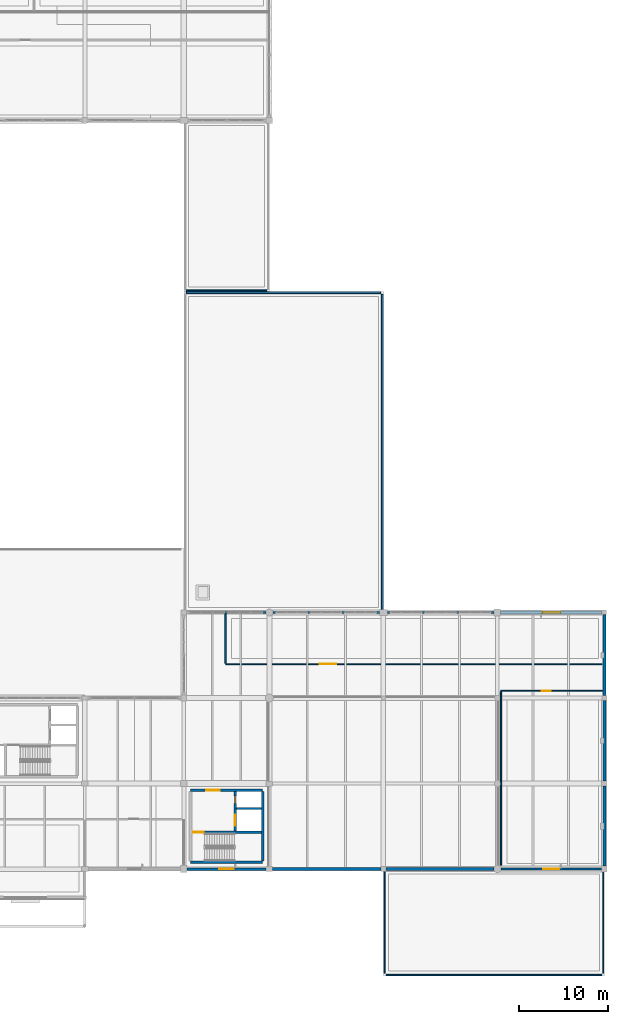
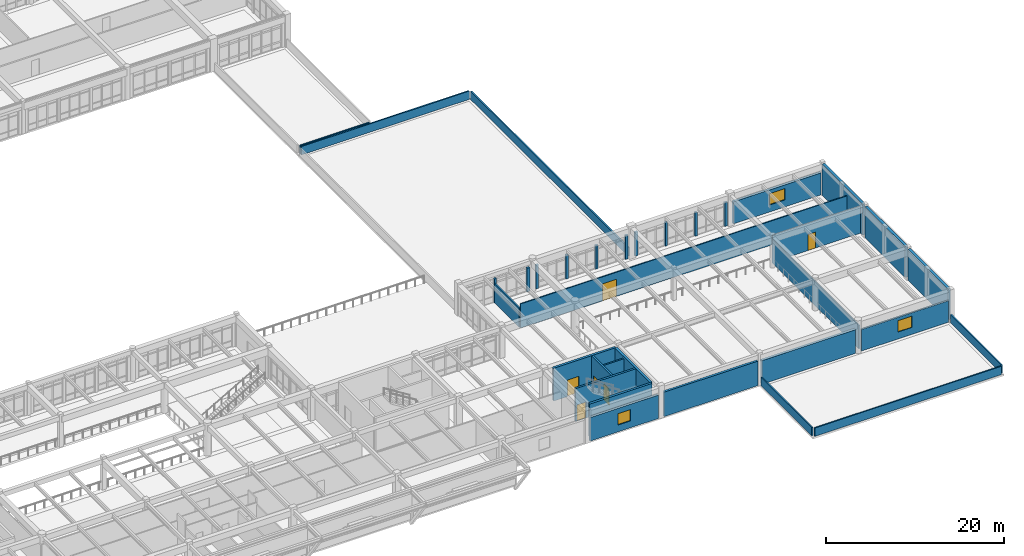
# One storey, part 94 of 109: 34 walls, 6 doors, 3 windows, 9 openings.
"""IFC4 building model written with IfcOpenShell, lengths in metres."""

from ifc_helpers import new_model, si_unit, direction, frame, frame_2d, origin, place, context, subcontext, project, spatial, rectangle, extrude, material, layer, layer_set, type_object, element, fill, save


model = new_model("IFC4")

# Units and contexts
model_context = context("Model", 3, precision=1e-05, world=origin(), true_north=direction((0.0, 1.0)))
body_context = subcontext(model_context, "Body", "Model", "MODEL_VIEW")
ifc_project = project(units=[si_unit("LENGTHUNIT", "METRE"), si_unit("AREAUNIT", "SQUARE_METRE"), si_unit("VOLUMEUNIT", "CUBIC_METRE"), si_unit("PLANEANGLEUNIT", "RADIAN"), si_unit("MASSUNIT", "GRAM", prefix="KILO")], contexts=[model_context])

# Site, building, storey
site_placement = place(None, origin())
site = spatial("IfcSite", under=ifc_project, at=site_placement, CompositionType="ELEMENT")
building_placement = place(site_placement, origin())
building = spatial("IfcBuilding", under=site, at=building_placement, Name="Fikremerkos Civic Library", CompositionType="ELEMENT")
storey_placement = place(building_placement, frame((0.0, 0.0, 5.39990234375)))
storey = spatial("IfcBuildingStorey", under=building, at=storey_placement, Name="L01", CompositionType="ELEMENT", Elevation=5.39990234375)

# Wall
ifc_material_1 = material(Name="Concrete C40/50", Category="concrete")
ifc_layer_1 = layer(ifc_material_1, 0.300048828125, Name="Concrete C40/50")
ifc_layer_set_1 = layer_set([ifc_layer_1], Name="Concrete C40/50")
wall_type_1 = type_object("IfcWallType", Name="Core shear wall CSW-01 300", PredefinedType="SHEAR", material=ifc_layer_set_1)
wall_1_placement = place(storey_placement, frame((133.64990234375, 12.75, 0.0), z_axis=(0.0, 0.0, 1.0), x_axis=(-1.0, 0.0, 0.0)))
element("IfcWall", 1, at=wall_1_placement, inside=storey, type_object=wall_type_1, Name="Core K4 south shear wall L01", PredefinedType="SHEAR", context=body_context, shape_type="SweptSolid", body=[
    extrude(rectangle(XDim=8.099853515625, YDim=0.300048828125, at=frame_2d((4.0498046875, 0.0))), origin(), (0.0, 0.0, 1.0), 4.5),
])

# Wall, opening, door
wall_2_placement = place(storey_placement, frame((125.550048828125, 20.85009765625, 0.0), z_axis=(0.0, 0.0, 1.0), x_axis=(1.0, 0.0, 0.0)))
wall_2 = element("IfcWall", 2, at=wall_2_placement, inside=storey, type_object=wall_type_1, Name="Core K4 north shear wall L01", PredefinedType="SHEAR", context=body_context, shape_type="SweptSolid", body=[
    extrude(rectangle(XDim=8.099853515625, YDim=0.300048828125, at=frame_2d((4.0498046875, 0.0))), origin(), (0.0, 0.0, 1.0), 4.5),
])
opening_1_placement = place(wall_2_placement, frame((1.800048828125, 0.0, 0.0)))
opening_1 = element("IfcOpeningElement", 3, at=opening_1_placement, cuts=wall_2, Name="Opening D110", PredefinedType="OPENING", context=body_context, shape_type="SweptSolid", body=[
    extrude(rectangle(XDim=1.5, YDim=2.25, at=frame_2d((0.75, 1.125))), frame((0.0, 0.159912109375, 0.0), z_axis=(0.0, -1.0, 0.0), x_axis=(1.0, 0.0, 0.0)), (0.0, 0.0, 1.0), 0.320068359375),
])
ifc_material_2 = material(Name="Hardwood timber and acoustic glass", Category="wood")
door_type_1 = type_object("IfcDoorType", Name="Pedestrian door DT-05 1500x2250", OperationType="NOTDEFINED", PredefinedType="DOOR", material=ifc_material_2)
door_1_placement = place(opening_1_placement, origin())
door_1 = element("IfcDoor", 4, at=door_1_placement, inside=storey, type_object=door_type_1, Name="Core K4 lobby fire door D110 L01", OperationType="SINGLE_SWING_RIGHT", OverallHeight=2.25, OverallWidth=1.5, PredefinedType="DOOR", context=body_context, shape_type="SweptSolid", body=[
    extrude(rectangle(XDim=1.5, YDim=2.25, at=frame_2d((0.75, 1.125))), frame((0.0, 0.032470703125, 0.0), z_axis=(0.0, -1.0, 0.0), x_axis=(1.0, 0.0, 0.0)), (0.0, 0.0, 1.0), 0.06494140625),
])
fill(opening_1, door_1)

# Wall
wall_3_placement = place(storey_placement, frame((133.64990234375, 20.697998046875, 0.0), z_axis=(0.0, 0.0, 1.0), x_axis=(0.0, -1.0, 0.0)))
element("IfcWall", 5, at=wall_3_placement, inside=storey, type_object=wall_type_1, Name="Core K4 east shear wall L01", PredefinedType="SHEAR", context=body_context, shape_type="SweptSolid", body=[
    extrude(rectangle(XDim=7.7958984375, YDim=0.300048828125, at=frame_2d((3.89794921875, 0.0))), origin(), (0.0, 0.0, 1.0), 4.5),
])

# Wall, opening, door
ifc_layer_2 = layer(ifc_material_1, 0.260009765625, Name="Concrete C40/50")
ifc_layer_set_2 = layer_set([ifc_layer_2], Name="Concrete C40/50")
wall_type_2 = type_object("IfcWallType", Name="Core shear wall CSW-02 260", PredefinedType="SHEAR", material=ifc_layer_set_2)
wall_4_placement = place(storey_placement, frame((125.701904296875, 16.1298828125, 0.0), z_axis=(0.0, 0.0, 1.0), x_axis=(1.0, 0.0, 0.0)))
wall_4 = element("IfcWall", 6, at=wall_4_placement, inside=storey, type_object=wall_type_2, Name="Core K4 stair compartment wall L01", PredefinedType="SHEAR", context=body_context, shape_type="SweptSolid", body=[
    extrude(rectangle(XDim=7.796142578125, YDim=0.260009765625, at=frame_2d((3.89794921875, 0.0))), origin(), (0.0, 0.0, 1.0), 4.5),
])
opening_2_placement = place(wall_4_placement, frame((0.14794921875, 0.0, 0.0)))
opening_2 = element("IfcOpeningElement", 7, at=opening_2_placement, cuts=wall_4, Name="Opening D111", PredefinedType="OPENING", context=body_context, shape_type="SweptSolid", body=[
    extrude(rectangle(XDim=1.199951171875, YDim=2.199951171875, at=frame_2d((0.60009765625, 1.10009765625))), frame((0.0, 0.139892578125, 0.0), z_axis=(0.0, -1.0, 0.0), x_axis=(1.0, 0.0, 0.0)), (0.0, 0.0, 1.0), 0.280029296875),
])
door_type_2 = type_object("IfcDoorType", Name="Pedestrian door DT-06 1200x2200", OperationType="NOTDEFINED", PredefinedType="DOOR", material=ifc_material_2)
door_2_placement = place(opening_2_placement, origin())
door_2 = element("IfcDoor", 8, at=door_2_placement, inside=storey, type_object=door_type_2, Name="Core K4 stair fire door D111 L01", OperationType="SINGLE_SWING_LEFT", OverallHeight=2.199951171875, OverallWidth=1.199951171875, PredefinedType="DOOR", context=body_context, shape_type="SweptSolid", body=[
    extrude(rectangle(XDim=1.199951171875, YDim=2.199951171875, at=frame_2d((0.60009765625, 1.10009765625))), frame((0.0, 0.032470703125, 0.0), z_axis=(0.0, -1.0, 0.0), x_axis=(1.0, 0.0, 0.0)), (0.0, 0.0, 1.0), 0.06494140625),
])
fill(opening_2, door_2)

# Wall, openings, doors
wall_5_placement = place(storey_placement, frame((130.570068359375, 16.261962890625, 0.0), z_axis=(0.0, 0.0, 1.0), x_axis=(0.0, 1.0, 0.0)))
wall_5 = element("IfcWall", 9, at=wall_5_placement, inside=storey, type_object=wall_type_2, Name="Core K4 lift shaft front wall L01", PredefinedType="SHEAR", context=body_context, shape_type="SweptSolid", body=[
    extrude(rectangle(XDim=4.43603515625, YDim=0.260009765625, at=frame_2d((2.218017578125, 0.0))), origin(), (0.0, 0.0, 1.0), 4.5),
])
opening_3_placement = place(wall_5_placement, frame((3.113037109375, 0.0, 0.0)))
opening_3 = element("IfcOpeningElement", 10, at=opening_3_placement, cuts=wall_5, Name="Opening D112", PredefinedType="OPENING", context=body_context, shape_type="SweptSolid", body=[
    extrude(rectangle(XDim=0.85009765625, YDim=2.050048828125, at=frame_2d((0.425048828125, 1.02490234375))), frame((0.0, 0.139892578125, 0.0), z_axis=(0.0, -1.0, 0.0), x_axis=(1.0, 0.0, 0.0)), (0.0, 0.0, 1.0), 0.280029296875),
])
opening_4_placement = place(wall_5_placement, frame((0.593017578125, 0.0, 0.0)))
opening_4 = element("IfcOpeningElement", 11, at=opening_4_placement, cuts=wall_5, Name="Opening LD52", PredefinedType="OPENING", context=body_context, shape_type="SweptSolid", body=[
    extrude(rectangle(XDim=1.25, YDim=2.199951171875, at=frame_2d((0.625, 1.10009765625))), frame((0.0, 0.139892578125, 0.0), z_axis=(0.0, -1.0, 0.0), x_axis=(1.0, 0.0, 0.0)), (0.0, 0.0, 1.0), 0.280029296875),
])
ifc_material_3 = material(Name="Brushed stainless steel", Category="steel")
door_type_3 = type_object("IfcDoorType", Name="Lift landing door LDT-02 1250x2200", OperationType="NOTDEFINED", PredefinedType="DOOR", material=ifc_material_3)
door_3_placement = place(opening_4_placement, origin())
door_3 = element("IfcDoor", 12, at=door_3_placement, inside=storey, type_object=door_type_3, Name="Lift LF07 sliding landing door LD52 L01", OperationType="SLIDING_TO_LEFT", OverallHeight=2.199951171875, OverallWidth=1.25, PredefinedType="DOOR", context=body_context, shape_type="SweptSolid", body=[
    extrude(rectangle(XDim=1.25, YDim=2.199951171875, at=frame_2d((0.625, 1.10009765625))), frame((0.0, 0.032470703125, 0.0), z_axis=(0.0, -1.0, 0.0), x_axis=(1.0, 0.0, 0.0)), (0.0, 0.0, 1.0), 0.06494140625),
])
fill(opening_4, door_3)
door_type_4 = type_object("IfcDoorType", Name="Pedestrian door DT-08 850x2050", OperationType="NOTDEFINED", PredefinedType="DOOR", material=ifc_material_2)
door_4_placement = place(opening_3_placement, origin())
door_4 = element("IfcDoor", 13, at=door_4_placement, inside=storey, type_object=door_type_4, Name="Core K4 riser access fire door D112 L01", OperationType="SINGLE_SWING_RIGHT", OverallHeight=2.050048828125, OverallWidth=0.85009765625, PredefinedType="DOOR", context=body_context, shape_type="SweptSolid", body=[
    extrude(rectangle(XDim=0.85009765625, YDim=2.050048828125, at=frame_2d((0.425048828125, 1.02490234375))), frame((0.0, 0.032470703125, 0.0), z_axis=(0.0, -1.0, 0.0), x_axis=(1.0, 0.0, 0.0)), (0.0, 0.0, 1.0), 0.06494140625),
])
fill(opening_3, door_4)

# Walls
ifc_layer_3 = layer(ifc_material_1, 0.35009765625, Name="Concrete C40/50")
ifc_layer_set_3 = layer_set([ifc_layer_3], Name="Concrete C40/50")
wall_type_3 = type_object("IfcWallType", Name="Exterior solid wall ESW-01 350", PredefinedType="SOLIDWALL", material=ifc_layer_set_3)
wall_6_placement = place(storey_placement, frame((172.0, 40.552001953125, 0.0), z_axis=(0.0, 0.0, 1.0), x_axis=(0.0, -1.0, 0.0)))
element("IfcWall", 14, at=wall_6_placement, inside=storey, type_object=wall_type_3, Name="Party boundary wall ESW-01 L01 #397", PredefinedType="SOLIDWALL", context=body_context, shape_type="SweptSolid", body=[
    extrude(rectangle(XDim=9.0791015625, YDim=0.35009765625, at=frame_2d((4.53955078125, 0.0))), origin(), (0.0, 0.0, 1.0), 4.260009765625),
])
wall_7_placement = place(storey_placement, frame((172.0, 30.927001953125, 0.0), z_axis=(0.0, 0.0, 1.0), x_axis=(0.0, -1.0, 0.0)))
element("IfcWall", 15, at=wall_7_placement, inside=storey, type_object=wall_type_3, Name="Party boundary wall ESW-01 L01 #398", PredefinedType="SOLIDWALL", context=body_context, shape_type="SweptSolid", body=[
    extrude(rectangle(XDim=9.029052734375, YDim=0.35009765625, at=frame_2d((4.5146484375, 0.0))), origin(), (0.0, 0.0, 1.0), 4.260009765625),
])
wall_8_placement = place(storey_placement, frame((172.0, 21.302001953125, 0.0), z_axis=(0.0, 0.0, 1.0), x_axis=(0.0, -1.0, 0.0)))
element("IfcWall", 16, at=wall_8_placement, inside=storey, type_object=wall_type_3, Name="Party boundary wall ESW-01 L01 #399", PredefinedType="SOLIDWALL", context=body_context, shape_type="SweptSolid", body=[
    extrude(rectangle(XDim=8.97900390625, YDim=0.35009765625, at=frame_2d((4.489501953125, 0.0))), origin(), (0.0, 0.0, 1.0), 4.260009765625),
])

# Wall, opening, window
ifc_material_4 = material(Name="Precast concrete C40/50", Category="concrete")
ifc_layer_4 = layer(ifc_material_4, 0.320068359375, Name="Precast concrete C40/50")
ifc_layer_set_4 = layer_set([ifc_layer_4], Name="Precast concrete C40/50")
wall_type_4 = type_object("IfcWallType", Name="Exterior solid wall ESW-02 320", PredefinedType="SOLIDWALL", material=ifc_layer_set_4)
wall_9_placement = place(storey_placement, frame((160.373046875, 40.800048828125, 0.0), z_axis=(0.0, 0.0, 1.0), x_axis=(1.0, 0.0, 0.0)))
wall_9 = element("IfcWall", 17, at=wall_9_placement, inside=storey, type_object=wall_type_4, Name="Exterior solid wall ESW-02 L01 #396", PredefinedType="SOLIDWALL", context=body_context, shape_type="SweptSolid", body=[
    extrude(rectangle(XDim=11.37890625, YDim=0.320068359375, at=frame_2d((5.689453125, 0.0))), origin(), (0.0, 0.0, 1.0), 3.02001953125),
])
opening_5_placement = place(wall_9_placement, frame((4.689453125, 0.0, 0.949951171875)))
opening_5 = element("IfcOpeningElement", 18, at=opening_5_placement, cuts=wall_9, Name="Opening CWND-03", PredefinedType="OPENING", context=body_context, shape_type="SweptSolid", body=[
    extrude(rectangle(XDim=2.0, YDim=1.550048828125, at=frame_2d((1.0, 0.77490234375))), frame((0.0, 0.169921875, 0.0), z_axis=(0.0, -1.0, 0.0), x_axis=(1.0, 0.0, 0.0)), (0.0, 0.0, 1.0), 0.340087890625),
])
ifc_material_5 = material(Name="Solar control double glazing", Category="glass")
window_type_1 = type_object("IfcWindowType", Name="Courtyard window CWND-03 2000x1550", PartitioningType="SINGLE_PANEL", PredefinedType="WINDOW", material=ifc_material_5)
window_1_placement = place(opening_5_placement, origin())
window_1 = element("IfcWindow", 19, at=window_1_placement, inside=storey, type_object=window_type_1, Name="Courtyard window CWND-03 L01 #19", OverallHeight=1.550048828125, OverallWidth=2.0, PartitioningType="SINGLE_PANEL", PredefinedType="WINDOW", context=body_context, shape_type="SweptSolid", body=[
    extrude(rectangle(XDim=2.0, YDim=1.550048828125, at=frame_2d((1.0, 0.77490234375))), frame((0.0, 0.032470703125, 0.0), z_axis=(0.0, -1.0, 0.0), x_axis=(1.0, 0.0, 0.0)), (0.0, 0.0, 1.0), 0.06494140625),
])
fill(opening_5, window_1)

# Walls
wall_10_placement = place(storey_placement, frame((159.60205078125, 12.0, 0.0), z_axis=(0.0, 0.0, 1.0), x_axis=(-1.0, 0.0, 0.0)))
element("IfcWall", 20, at=wall_10_placement, inside=storey, type_object=wall_type_4, Name="Exterior solid wall ESW-02 L01 #401", PredefinedType="SOLIDWALL", context=body_context, shape_type="SweptSolid", body=[
    extrude(rectangle(XDim=12.129150390625, YDim=0.320068359375, at=frame_2d((6.064453125, 0.0))), origin(), (0.0, 0.0, 1.0), 3.25),
])
ifc_layer_5 = layer(ifc_material_4, 0.300048828125, Name="Precast concrete C40/50")
ifc_layer_set_5 = layer_set([ifc_layer_5], Name="Precast concrete C40/50")
wall_type_5 = type_object("IfcWallType", Name="Exterior solid wall ESW-03 300", PredefinedType="SOLIDWALL", material=ifc_layer_set_5)
wall_11_placement = place(storey_placement, frame((146.927001953125, 12.0, 0.0), z_axis=(0.0, 0.0, 1.0), x_axis=(-1.0, 0.0, 0.0)))
element("IfcWall", 21, at=wall_11_placement, inside=storey, type_object=wall_type_5, Name="Exterior solid wall ESW-03 L01 #402", PredefinedType="SOLIDWALL", context=body_context, shape_type="SweptSolid", body=[
    extrude(rectangle(XDim=12.154052734375, YDim=0.300048828125, at=frame_2d((6.0771484375, 0.0))), origin(), (0.0, 0.0, 1.0), 3.360107421875),
])

# Wall, opening, window
ifc_layer_6 = layer(ifc_material_4, 0.280029296875, Name="Precast concrete C40/50")
ifc_layer_set_6 = layer_set([ifc_layer_6], Name="Precast concrete C40/50")
wall_type_6 = type_object("IfcWallType", Name="Exterior solid wall ESW-04 280", PredefinedType="SOLIDWALL", material=ifc_layer_set_6)
wall_12_placement = place(storey_placement, frame((134.027099609375, 12.0, 0.0), z_axis=(0.0, 0.0, 1.0), x_axis=(-1.0, 0.0, 0.0)))
wall_12 = element("IfcWall", 22, at=wall_12_placement, inside=storey, type_object=wall_type_6, Name="Exterior solid wall ESW-04 L01 #403", PredefinedType="SOLIDWALL", context=body_context, shape_type="SweptSolid", body=[
    extrude(rectangle(XDim=8.85400390625, YDim=0.280029296875, at=frame_2d((4.427001953125, 0.0))), origin(), (0.0, 0.0, 1.0), 3.22021484375),
])
opening_6_placement = place(wall_12_placement, frame((3.626953125, 0.0, 0.949951171875)))
opening_6 = element("IfcOpeningElement", 23, at=opening_6_placement, cuts=wall_12, Name="Opening CWND-05", PredefinedType="OPENING", context=body_context, shape_type="SweptSolid", body=[
    extrude(rectangle(XDim=1.60009765625, YDim=1.550048828125, at=frame_2d((0.800048828125, 0.77490234375))), frame((0.0, 0.14990234375, 0.0), z_axis=(0.0, -1.0, 0.0), x_axis=(1.0, 0.0, 0.0)), (0.0, 0.0, 1.0), 0.300048828125),
])
window_type_2 = type_object("IfcWindowType", Name="Courtyard window CWND-05 1600x1550", PartitioningType="SINGLE_PANEL", PredefinedType="WINDOW", material=ifc_material_5)
window_2_placement = place(opening_6_placement, origin())
window_2 = element("IfcWindow", 24, at=window_2_placement, inside=storey, type_object=window_type_2, Name="Courtyard window CWND-05 L01 #21", OverallHeight=1.550048828125, OverallWidth=1.60009765625, PartitioningType="SINGLE_PANEL", PredefinedType="WINDOW", context=body_context, shape_type="SweptSolid", body=[
    extrude(rectangle(XDim=1.60009765625, YDim=1.550048828125, at=frame_2d((0.800048828125, 0.77490234375))), frame((0.0, 0.032470703125, 0.0), z_axis=(0.0, -1.0, 0.0), x_axis=(1.0, 0.0, 0.0)), (0.0, 0.0, 1.0), 0.06494140625),
])
fill(opening_6, window_2)

# Walls
ifc_layer_7 = layer(ifc_material_4, 0.25, Name="Precast concrete C40/50")
ifc_layer_set_7 = layer_set([ifc_layer_7], Name="Precast concrete C40/50")
wall_type_7 = type_object("IfcWallType", Name="Exterior solid wall ESW-05 250", PredefinedType="SOLIDWALL", material=ifc_layer_set_7)
wall_13_placement = place(storey_placement, frame((133.652099609375, 40.800048828125, 0.0), z_axis=(0.0, 0.0, 1.0), x_axis=(1.0, 0.0, 0.0)))
element("IfcWall", 25, at=wall_13_placement, inside=storey, type_object=wall_type_7, Name="Exterior facade pier ESW-05 #386", PredefinedType="SOLIDWALL", context=body_context, shape_type="SweptSolid", body=[
    extrude(rectangle(XDim=0.349853515625, YDim=0.25, at=frame_2d((0.1748046875, 0.0))), origin(), (0.0, 0.0, 1.0), 3.260009765625),
])
wall_14_placement = place(storey_placement, frame((129.39990234375, 40.800048828125, 0.0), z_axis=(0.0, 0.0, 1.0), x_axis=(1.0, 0.0, 0.0)))
element("IfcWall", 26, at=wall_14_placement, inside=storey, type_object=wall_type_7, Name="Exterior facade mullion pier ESW-05 #387", PredefinedType="SOLIDWALL", context=body_context, shape_type="SweptSolid", body=[
    extrude(rectangle(XDim=0.300048828125, YDim=0.25, at=frame_2d((0.14990234375, 0.0))), origin(), (0.0, 0.0, 1.0), 3.260009765625),
])
for number, where, z_axis, x_axis, name in (
    (27, (134.798095703125, 40.800048828125, 0.0), (0.0, 0.0, 1.0), (1.0, 0.0, 0.0), "Exterior facade pier ESW-05 #388"),
    (28, (146.402099609375, 40.800048828125, 0.0), (0.0, 0.0, 1.0), (1.0, 0.0, 0.0), "Exterior facade pier ESW-05 #389"),
):
    element("IfcWall", number, at=place(storey_placement, frame(where, z_axis=z_axis, x_axis=x_axis)), inside=storey, type_object=wall_type_7, Name=name, PredefinedType="SOLIDWALL", context=body_context, shape_type="SweptSolid", body=[
        extrude(rectangle(XDim=0.349853515625, YDim=0.25, at=frame_2d((0.1748046875, 0.0))), origin(), (0.0, 0.0, 1.0), 3.260009765625),
    ])
wall_15_placement = place(storey_placement, frame((138.69921875, 40.800048828125, 0.0), z_axis=(0.0, 0.0, 1.0), x_axis=(1.0, 0.0, 0.0)))
element("IfcWall", 29, at=wall_15_placement, inside=storey, type_object=wall_type_7, Name="Exterior facade mullion pier ESW-05 #390", PredefinedType="SOLIDWALL", context=body_context, shape_type="SweptSolid", body=[
    extrude(rectangle(XDim=0.300048828125, YDim=0.25, at=frame_2d((0.14990234375, 0.0))), origin(), (0.0, 0.0, 1.0), 3.260009765625),
])
wall_16_placement = place(storey_placement, frame((142.55078125, 40.800048828125, 0.0), z_axis=(0.0, 0.0, 1.0), x_axis=(1.0, 0.0, 0.0)))
element("IfcWall", 30, at=wall_16_placement, inside=storey, type_object=wall_type_7, Name="Exterior facade mullion pier ESW-05 #391", PredefinedType="SOLIDWALL", context=body_context, shape_type="SweptSolid", body=[
    extrude(rectangle(XDim=0.2998046875, YDim=0.25, at=frame_2d((0.14990234375, 0.0))), origin(), (0.0, 0.0, 1.0), 3.260009765625),
])
wall_17_placement = place(storey_placement, frame((147.64794921875, 40.800048828125, 0.0), z_axis=(0.0, 0.0, 1.0), x_axis=(1.0, 0.0, 0.0)))
element("IfcWall", 31, at=wall_17_placement, inside=storey, type_object=wall_type_7, Name="Exterior facade pier ESW-05 #392", PredefinedType="SOLIDWALL", context=body_context, shape_type="SweptSolid", body=[
    extrude(rectangle(XDim=0.35009765625, YDim=0.25, at=frame_2d((0.175048828125, 0.0))), origin(), (0.0, 0.0, 1.0), 3.260009765625),
])
wall_18_placement = place(storey_placement, frame((159.277099609375, 40.800048828125, 0.0), z_axis=(0.0, 0.0, 1.0), x_axis=(1.0, 0.0, 0.0)))
element("IfcWall", 32, at=wall_18_placement, inside=storey, type_object=wall_type_7, Name="Exterior facade pier ESW-05 #393", PredefinedType="SOLIDWALL", context=body_context, shape_type="SweptSolid", body=[
    extrude(rectangle(XDim=0.349853515625, YDim=0.25, at=frame_2d((0.1748046875, 0.0))), origin(), (0.0, 0.0, 1.0), 3.260009765625),
])
for number, where, z_axis, x_axis, name in (
    (33, (151.5576171875, 40.800048828125, 0.0), (0.0, 0.0, 1.0), (1.0, 0.0, 0.0), "Exterior facade mullion pier ESW-05 #394"),
    (34, (155.417236328125, 40.800048828125, 0.0), (0.0, 0.0, 1.0), (1.0, 0.0, 0.0), "Exterior facade mullion pier ESW-05 #395"),
):
    element("IfcWall", number, at=place(storey_placement, frame(where, z_axis=z_axis, x_axis=x_axis)), inside=storey, type_object=wall_type_7, Name=name, PredefinedType="SOLIDWALL", context=body_context, shape_type="SweptSolid", body=[
        extrude(rectangle(XDim=0.300048828125, YDim=0.25, at=frame_2d((0.14990234375, 0.0))), origin(), (0.0, 0.0, 1.0), 3.260009765625),
    ])

# Wall, opening, window
ifc_layer_8 = layer(ifc_material_4, 0.219970703125, Name="Precast concrete C40/50")
ifc_layer_set_8 = layer_set([ifc_layer_8], Name="Precast concrete C40/50")
wall_type_8 = type_object("IfcWallType", Name="Exterior solid wall ESW-06 220", PredefinedType="SOLIDWALL", material=ifc_layer_set_8)
wall_19_placement = place(storey_placement, frame((171.677001953125, 12.0, 0.0), z_axis=(0.0, 0.0, 1.0), x_axis=(-1.0, 0.0, 0.0)))
wall_19 = element("IfcWall", 35, at=wall_19_placement, inside=storey, type_object=wall_type_8, Name="Exterior solid wall ESW-06 L01 #400", PredefinedType="SOLIDWALL", context=body_context, shape_type="SweptSolid", body=[
    extrude(rectangle(XDim=11.279052734375, YDim=0.219970703125, at=frame_2d((5.6396484375, 0.0))), origin(), (0.0, 0.0, 1.0), 2.960205078125),
])
opening_7_placement = place(wall_19_placement, frame((4.739501953125, 0.0, 0.949951171875)))
opening_7 = element("IfcOpeningElement", 36, at=opening_7_placement, cuts=wall_19, Name="Opening CWND-04", PredefinedType="OPENING", context=body_context, shape_type="SweptSolid", body=[
    extrude(rectangle(XDim=1.800048828125, YDim=1.550048828125, at=frame_2d((0.89990234375, 0.77490234375))), frame((0.0, 0.119873046875, 0.0), z_axis=(0.0, -1.0, 0.0), x_axis=(1.0, 0.0, 0.0)), (0.0, 0.0, 1.0), 0.239990234375),
])
window_type_3 = type_object("IfcWindowType", Name="Courtyard window CWND-04 1800x1550", PartitioningType="SINGLE_PANEL", PredefinedType="WINDOW", material=ifc_material_5)
window_3_placement = place(opening_7_placement, origin())
window_3 = element("IfcWindow", 37, at=window_3_placement, inside=storey, type_object=window_type_3, Name="Courtyard window CWND-04 L01 #20", OverallHeight=1.550048828125, OverallWidth=1.800048828125, PartitioningType="SINGLE_PANEL", PredefinedType="WINDOW", context=body_context, shape_type="SweptSolid", body=[
    extrude(rectangle(XDim=1.800048828125, YDim=1.550048828125, at=frame_2d((0.89990234375, 0.77490234375))), frame((0.0, 0.032470703125, 0.0), z_axis=(0.0, -1.0, 0.0), x_axis=(1.0, 0.0, 0.0)), (0.0, 0.0, 1.0), 0.06494140625),
])
fill(opening_7, window_3)

# Walls
ifc_material_6 = material(Name="Acoustic concrete blockwork", Category="masonry")
ifc_layer_9 = layer(ifc_material_6, 0.18994140625, Name="Acoustic concrete blockwork")
ifc_layer_set_9 = layer_set([ifc_layer_9], Name="Acoustic concrete blockwork")
wall_type_9 = type_object("IfcWallType", Name="Interior partition wall IPW-01 190", PredefinedType="PARTITIONING", material=ifc_layer_set_9)
wall_20_placement = place(storey_placement, frame((129.5, 35.10498046875, 0.0), z_axis=(0.0, 0.0, 1.0), x_axis=(0.0, 1.0, 0.0)))
element("IfcWall", 38, at=wall_20_placement, inside=storey, type_object=wall_type_9, Name="Interior wall IPW-01 L01 #176", PredefinedType="PARTITIONING", context=body_context, shape_type="SweptSolid", body=[
    extrude(rectangle(XDim=5.56591796875, YDim=0.18994140625, at=frame_2d((2.782958984375, 0.0))), origin(), (0.0, 0.0, 1.0), 2.650146484375),
])
ifc_material_7 = material(Name="Acoustic gypsum stud partition")
ifc_layer_10 = layer(ifc_material_7, 0.14990234375, Name="Acoustic gypsum stud partition")
ifc_layer_set_10 = layer_set([ifc_layer_10], Name="Acoustic gypsum stud partition")
wall_type_10 = type_object("IfcWallType", Name="Interior partition wall IPW-02 150", PredefinedType="PARTITIONING", material=ifc_layer_set_10)
wall_21_placement = place(storey_placement, frame((160.39990234375, 12.403076171875, 0.0), z_axis=(0.0, 0.0, 1.0), x_axis=(0.0, 1.0, 0.0)))
element("IfcWall", 39, at=wall_21_placement, inside=storey, type_object=wall_type_10, Name="Interior wall IPW-02 L01 #177", PredefinedType="PARTITIONING", context=body_context, shape_type="SweptSolid", body=[
    extrude(rectangle(XDim=19.491943359375, YDim=0.14990234375, at=frame_2d((9.74609375, 0.0))), origin(), (0.0, 0.0, 1.0), 3.25),
])

# Wall, opening, door
ifc_material_8 = material(Name="Gypsum metal stud partition")
ifc_layer_11 = layer(ifc_material_8, 0.1298828125, Name="Gypsum metal stud partition")
ifc_layer_set_11 = layer_set([ifc_layer_11], Name="Gypsum metal stud partition")
wall_type_11 = type_object("IfcWallType", Name="Interior partition wall IPW-03 130", PredefinedType="PARTITIONING", material=ifc_layer_set_11)
wall_22_placement = place(storey_placement, frame((129.5, 35.0, 0.0), z_axis=(0.0, 0.0, 1.0), x_axis=(1.0, 0.0, 0.0)))
wall_22 = element("IfcWall", 40, at=wall_22_placement, inside=storey, type_object=wall_type_11, Name="Interior wall IPW-03 L01 #162", PredefinedType="PARTITIONING", context=body_context, shape_type="SweptSolid", body=[
    extrude(rectangle(XDim=42.322021484375, YDim=0.1298828125, at=frame_2d((21.1611328125, 0.0))), origin(), (0.0, 0.0, 1.0), 3.31005859375),
])
opening_8_placement = place(wall_22_placement, frame((10.574951171875, 0.0, 0.0)))
opening_8 = element("IfcOpeningElement", 41, at=opening_8_placement, cuts=wall_22, Name="Opening D209", PredefinedType="OPENING", context=body_context, shape_type="SweptSolid", body=[
    extrude(rectangle(XDim=1.85009765625, YDim=2.35009765625, at=frame_2d((0.925048828125, 1.175048828125))), frame((0.0, 0.074951171875, 0.0), z_axis=(0.0, -1.0, 0.0), x_axis=(1.0, 0.0, 0.0)), (0.0, 0.0, 1.0), 0.14990234375),
])
door_type_5 = type_object("IfcDoorType", Name="Pedestrian door DT-09 1850x2350", OperationType="NOTDEFINED", PredefinedType="DOOR", material=ifc_material_2)
door_5_placement = place(opening_8_placement, origin())
door_5 = element("IfcDoor", 42, at=door_5_placement, inside=storey, type_object=door_type_5, Name="Interior door D209 L01", OperationType="SINGLE_SWING_RIGHT", OverallHeight=2.35009765625, OverallWidth=1.85009765625, PredefinedType="DOOR", context=body_context, shape_type="SweptSolid", body=[
    extrude(rectangle(XDim=1.85009765625, YDim=2.35009765625, at=frame_2d((0.925048828125, 1.175048828125))), frame((0.0, 0.032470703125, 0.0), z_axis=(0.0, -1.0, 0.0), x_axis=(1.0, 0.0, 0.0)), (0.0, 0.0, 1.0), 0.06494140625),
])
fill(opening_8, door_5)

ifc_material_9 = material(Name="Lightweight metal stud partition")
ifc_layer_12 = layer(ifc_material_9, 0.110107421875, Name="Lightweight metal stud partition")
ifc_layer_set_12 = layer_set([ifc_layer_12], Name="Lightweight metal stud partition")
wall_type_12 = type_object("IfcWallType", Name="Interior partition wall IPW-04 110", PredefinedType="PARTITIONING", material=ifc_layer_set_12)
wall_23_placement = place(storey_placement, frame((160.39990234375, 32.0, 0.0), z_axis=(0.0, 0.0, 1.0), x_axis=(1.0, 0.0, 0.0)))
wall_23 = element("IfcWall", 43, at=wall_23_placement, inside=storey, type_object=wall_type_12, Name="Interior wall IPW-04 L01 #163", PredefinedType="PARTITIONING", context=body_context, shape_type="SweptSolid", body=[
    extrude(rectangle(XDim=11.422119140625, YDim=0.110107421875, at=frame_2d((5.7109375, 0.0))), origin(), (0.0, 0.0, 1.0), 3.7001953125),
])
opening_9_placement = place(wall_23_placement, frame((4.60009765625, 0.0, 0.0)))
opening_9 = element("IfcOpeningElement", 44, at=opening_9_placement, cuts=wall_23, Name="Opening D210", PredefinedType="OPENING", context=body_context, shape_type="SweptSolid", body=[
    extrude(rectangle(XDim=1.0, YDim=2.199951171875, at=frame_2d((0.5, 1.10009765625))), frame((0.0, 0.06494140625, 0.0), z_axis=(0.0, -1.0, 0.0), x_axis=(1.0, 0.0, 0.0)), (0.0, 0.0, 1.0), 0.130126953125),
])
door_type_6 = type_object("IfcDoorType", Name="Pedestrian door DT-01 1000x2200", OperationType="NOTDEFINED", PredefinedType="DOOR", material=ifc_material_2)
door_6_placement = place(opening_9_placement, origin())
door_6 = element("IfcDoor", 45, at=door_6_placement, inside=storey, type_object=door_type_6, Name="Interior door D210 L01", OperationType="SINGLE_SWING_LEFT", OverallHeight=2.199951171875, OverallWidth=1.0, PredefinedType="DOOR", context=body_context, shape_type="SweptSolid", body=[
    extrude(rectangle(XDim=1.0, YDim=2.199951171875, at=frame_2d((0.5, 1.10009765625))), frame((0.0, 0.032470703125, 0.0), z_axis=(0.0, -1.0, 0.0), x_axis=(1.0, 0.0, 0.0)), (0.0, 0.0, 1.0), 0.06494140625),
])
fill(opening_9, door_6)

# Walls
ifc_layer_13 = layer(ifc_material_4, 0.179931640625, Name="Precast concrete C40/50")
ifc_layer_set_13 = layer_set([ifc_layer_13], Name="Precast concrete C40/50")
wall_type_13 = type_object("IfcWallType", Name="Roof parapet wall PAR-01 180", PredefinedType="PARAPET", material=ifc_layer_set_13)
wall_24_placement = place(storey_placement, frame((125.10009765625, 76.679931640625, 0.0), z_axis=(0.0, 0.0, 1.0), x_axis=(1.0, 0.0, 0.0)))
element("IfcWall", 46, at=wall_24_placement, inside=storey, type_object=wall_type_13, Name="Roof parapet wall PAR-01 RF-L01-V3N N", PredefinedType="PARAPET", context=body_context, shape_type="SweptSolid", body=[
    extrude(rectangle(XDim=21.7998046875, YDim=0.179931640625, at=frame_2d((10.89990234375, 0.0))), origin(), (0.0, 0.0, 1.0), 1.150146484375),
])
wall_25_placement = place(storey_placement, frame((147.080078125, 41.10009765625, 0.0), z_axis=(0.0, 0.0, 1.0), x_axis=(0.0, 1.0, 0.0)))
element("IfcWall", 47, at=wall_25_placement, inside=storey, type_object=wall_type_13, Name="Roof parapet wall PAR-01 RF-L01-V3N E", PredefinedType="PARAPET", context=body_context, shape_type="SweptSolid", body=[
    extrude(rectangle(XDim=35.39990234375, YDim=0.179931640625, at=frame_2d((17.699951171875, 0.0))), origin(), (0.0, 0.0, 1.0), 1.150146484375),
])
ifc_layer_14 = layer(ifc_material_4, 0.159912109375, Name="Precast concrete C40/50")
ifc_layer_set_14 = layer_set([ifc_layer_14], Name="Precast concrete C40/50")
wall_type_14 = type_object("IfcWallType", Name="Roof parapet wall PAR-02 160", PredefinedType="PARAPET", material=ifc_layer_set_14)
wall_26_placement = place(storey_placement, frame((147.5, 0.1201171875, 0.0), z_axis=(0.0, 0.0, 1.0), x_axis=(1.0, 0.0, 0.0)))
element("IfcWall", 48, at=wall_26_placement, inside=storey, type_object=wall_type_14, Name="Roof parapet wall PAR-02 RF-L01-V3S S", PredefinedType="PARAPET", context=body_context, shape_type="SweptSolid", body=[
    extrude(rectangle(XDim=24.199951171875, YDim=0.159912109375, at=frame_2d((12.10009765625, 0.0))), origin(), (0.0, 0.0, 1.0), 1.150146484375),
])
for number, where, z_axis, x_axis, name in (
    (49, (147.320068359375, 0.300048828125, 0.0), (0.0, 0.0, 1.0), (0.0, 1.0, 0.0), "Roof parapet wall PAR-02 RF-L01-V3S W"),
    (50, (171.8798828125, 0.300048828125, 0.0), (0.0, 0.0, 1.0), (0.0, 1.0, 0.0), "Roof parapet wall PAR-02 RF-L01-V3S E"),
):
    element("IfcWall", number, at=place(storey_placement, frame(where, z_axis=z_axis, x_axis=x_axis)), inside=storey, type_object=wall_type_14, Name=name, PredefinedType="PARAPET", context=body_context, shape_type="SweptSolid", body=[
        extrude(rectangle(XDim=11.39990234375, YDim=0.159912109375, at=frame_2d((5.699951171875, 0.0))), origin(), (0.0, 0.0, 1.0), 1.150146484375),
    ])
wall_27_placement = place(storey_placement, frame((125.10009765625, 76.919921875, 0.0), z_axis=(0.0, 0.0, 1.0), x_axis=(1.0, 0.0, 0.0)))
element("IfcWall", 51, at=wall_27_placement, inside=storey, type_object=wall_type_14, Name="Roof parapet wall PAR-02 RF-L01-V2L S", PredefinedType="PARAPET", context=body_context, shape_type="SweptSolid", body=[
    extrude(rectangle(XDim=9.0, YDim=0.159912109375, at=frame_2d((4.5, 0.0))), origin(), (0.0, 0.0, 1.0), 1.150146484375),
])
ifc_material_10 = material(Name="Concrete C35/45", Category="concrete")
ifc_layer_15 = layer(ifc_material_10, 0.199951171875, Name="Concrete C35/45")
ifc_layer_set_15 = layer_set([ifc_layer_15], Name="Concrete C35/45")
wall_type_15 = type_object("IfcWallType", Name="Service duct wall SDW-01 200", PredefinedType="PLUMBINGWALL", material=ifc_layer_set_15)
wall_28_placement = place(storey_placement, frame((130.701904296875, 18.800048828125, 0.0), z_axis=(0.0, 0.0, 1.0), x_axis=(1.0, 0.0, 0.0)))
element("IfcWall", 52, at=wall_28_placement, inside=storey, type_object=wall_type_15, Name="Core K4 lift-riser divider wall L01", PredefinedType="PLUMBINGWALL", context=body_context, shape_type="SweptSolid", body=[
    extrude(rectangle(XDim=2.796142578125, YDim=0.199951171875, at=frame_2d((1.39794921875, 0.0))), origin(), (0.0, 0.0, 1.0), 4.22021484375),
])

save(model, "model.ifc")
